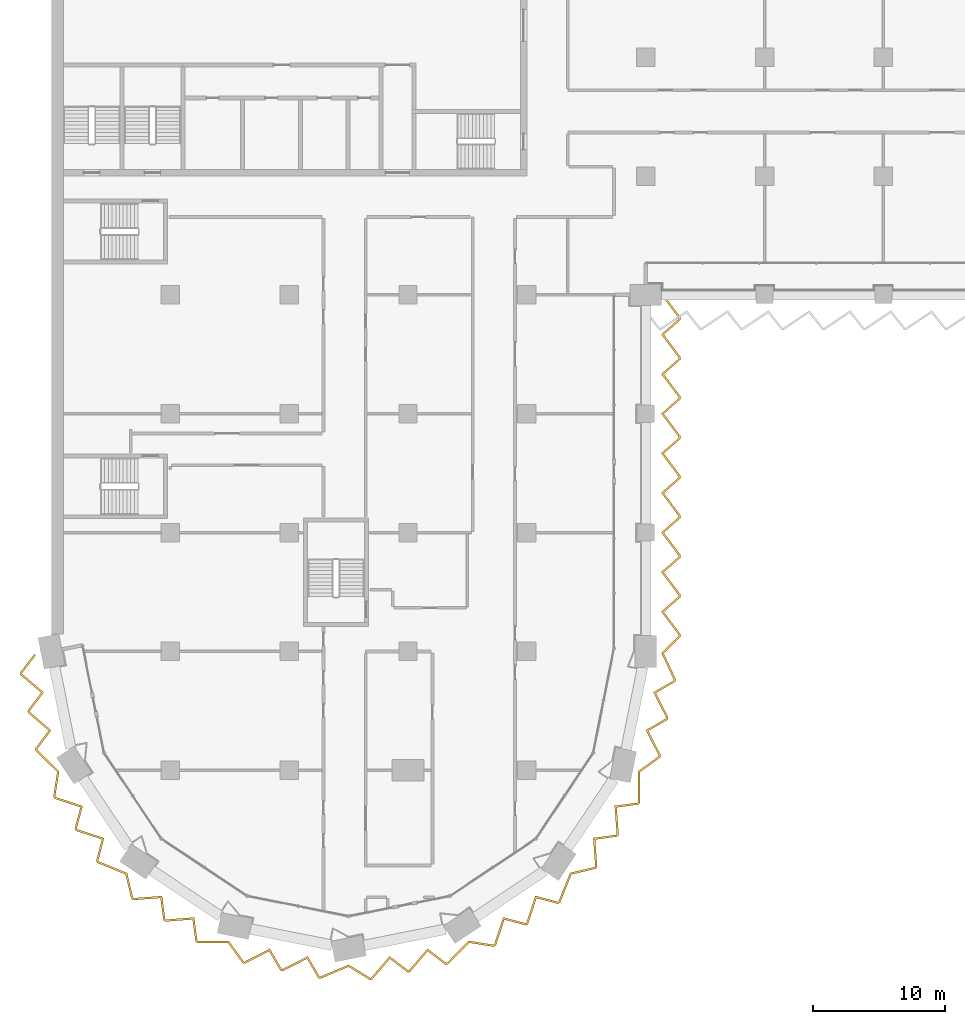
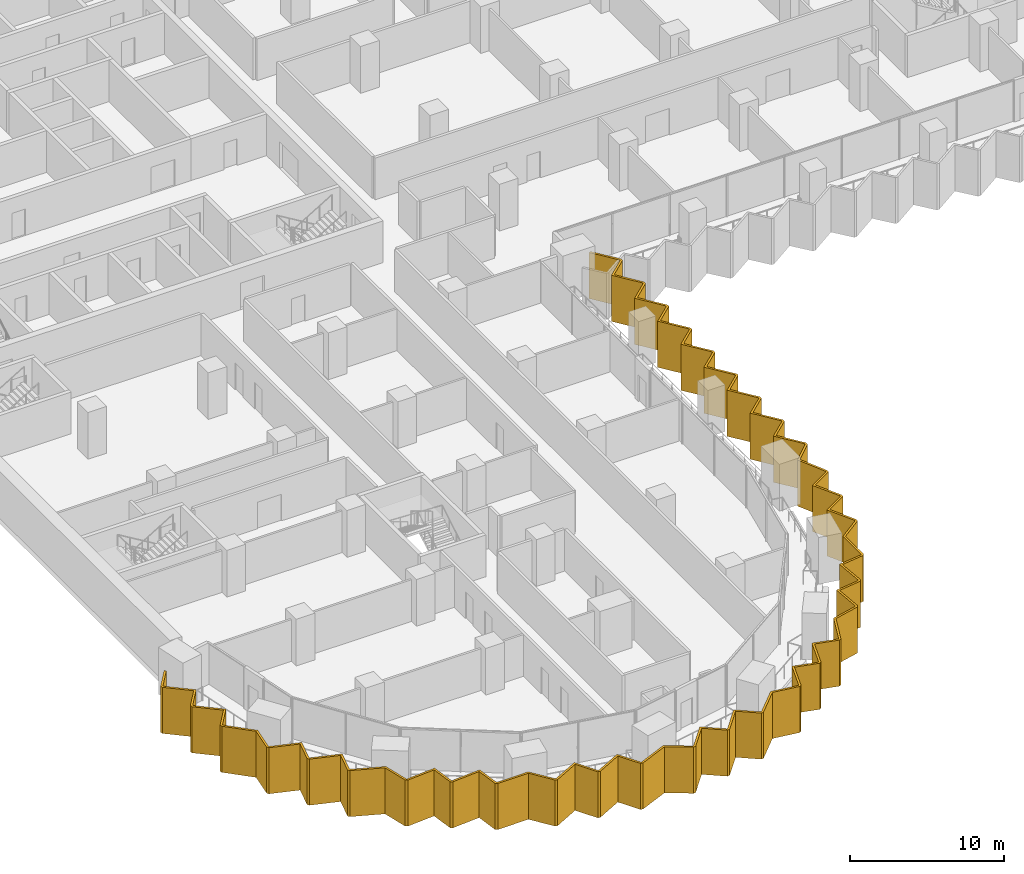
# One storey, part 23 of 28: 1 shading device.
"""IFC4 building model written with IfcOpenShell, lengths in metres."""

from ifc_helpers import new_model, si_unit, direction, frame, origin, place, context, subcontext, project, spatial, polyline, outline, extrude, material, layer, layer_set, type_object, element, save


model = new_model("IFC4")

# Units and contexts
model_context = context("Model", 3, precision=1e-05, world=origin(), true_north=direction((0.0, 1.0)))
body_context = subcontext(model_context, "Body", "Model", "MODEL_VIEW")
ifc_project = project(units=[si_unit("LENGTHUNIT", "METRE"), si_unit("AREAUNIT", "SQUARE_METRE"), si_unit("VOLUMEUNIT", "CUBIC_METRE"), si_unit("PLANEANGLEUNIT", "RADIAN"), si_unit("MASSUNIT", "GRAM", prefix="KILO")], contexts=[model_context])

# Site, building, storey
site_placement = place(None, origin())
site = spatial("IfcSite", under=ifc_project, at=site_placement, CompositionType="ELEMENT")
building_placement = place(site_placement, origin())
building = spatial("IfcBuilding", under=site, at=building_placement, Name="Hunhe Ridgeline Campus", CompositionType="ELEMENT")
storey_placement = place(building_placement, frame((0.0, 0.0, 61.699951171875)))
storey = spatial("IfcBuildingStorey", under=building, at=storey_placement, Name="L14", CompositionType="ELEMENT", Elevation=61.699951171875)

# Shading device
ifc_material = material(Name="Concrete C50", Category="concrete")
ifc_layer = layer(ifc_material, 0.14990234375)
ifc_layer_set = layer_set([ifc_layer], Name="Sawtooth concrete fin 150 Concrete C50")
shading_device_type = type_object("IfcShadingDeviceType", Name="Sawtooth concrete fin 150 Concrete C50", PredefinedType="USERDEFINED", material=ifc_layer_set)
shading_device_placement = place(storey_placement, frame((0.0, 0.0, -0.949951171875)))
element("IfcShadingDevice", 1, at=shading_device_placement, inside=storey, type_object=shading_device_type, Name="Concrete fin screen 1", ObjectType="FIN", PredefinedType="USERDEFINED", context=body_context, shape_type="SweptSolid", body=[
    extrude(outline(polyline([(-1.19091796875, 26.705810546875), (-1.31005859375, 26.796630859375), (-2.3818359375, 25.39111328125), (-2.346923828125, 25.21484375), (-0.7822265625, 23.870361328125), (-1.81103515625, 22.52099609375), (-1.77587890625, 22.3447265625), (-0.211181640625, 21.000244140625), (-1.239990234375, 19.65087890625), (-1.20556640625, 19.477294921875), (0.431396484375, 17.86572265625), (0.13037109375, 15.988037109375), (0.227783203125, 15.84228515625), (2.187744140625, 15.198974609375), (1.753662109375, 13.55859375), (1.853515625, 13.4091796875), (3.8134765625, 12.765625), (3.37939453125, 11.125244140625), (3.477783203125, 10.978271484375), (5.60693359375, 10.115966796875), (6.047119140625, 8.265869140625), (6.19287109375, 8.16845703125), (8.25, 8.323974609375), (8.4765625, 6.642333984375), (8.6259765625, 6.54248046875), (10.68310546875, 6.6982421875), (10.909912109375, 5.0166015625), (11.056884765625, 4.918212890625), (13.35400390625, 4.936279296875), (14.46875, 3.3955078125), (14.640869140625, 3.361328125), (16.481689453125, 4.29248046875), (17.334716796875, 2.825439453125), (17.510986328125, 2.79052734375), (19.351806640625, 3.721435546875), (20.204833984375, 2.254638671875), (20.378173828125, 2.22021484375), (22.49365234375, 3.115966796875), (24.11328125, 2.118896484375), (24.28515625, 2.153076171875), (25.629638671875, 3.7177734375), (26.97900390625, 2.68896484375), (27.1552734375, 2.72412109375), (28.499755859375, 4.288818359375), (29.84912109375, 3.260009765625), (30.022705078125, 3.29443359375), (31.63427734375, 4.931396484375), (33.511962890625, 4.63037109375), (33.65771484375, 4.727783203125), (34.301025390625, 6.687744140625), (35.94140625, 6.253662109375), (36.0908203125, 6.353515625), (36.734375, 8.3134765625), (38.374755859375, 7.87939453125), (38.521728515625, 7.977783203125), (39.384033203125, 10.10693359375), (41.234130859375, 10.547119140625), (41.33154296875, 10.69287109375), (41.176025390625, 12.75), (42.857666015625, 12.9765625), (42.95751953125, 13.1259765625), (42.8017578125, 15.18310546875), (44.4833984375, 15.409912109375), (44.581787109375, 15.556884765625), (44.563720703125, 17.85400390625), (46.1044921875, 18.96875), (46.138671875, 19.140869140625), (45.20751953125, 20.981689453125), (46.674560546875, 21.834716796875), (46.70947265625, 22.010986328125), (45.778564453125, 23.851806640625), (47.245361328125, 24.704833984375), (47.280029296875, 24.879638671875), (46.365234375, 26.85791015625), (47.64990234375, 28.115478515625), (47.64990234375, 28.292236328125), (46.37646484375, 29.989501953125), (47.64990234375, 31.11328125), (47.64990234375, 31.292236328125), (46.37646484375, 32.989501953125), (47.64990234375, 34.11328125), (47.64990234375, 34.292236328125), (46.37646484375, 35.989501953125), (47.64990234375, 37.11328125), (47.64990234375, 37.292236328125), (46.37646484375, 38.989501953125), (47.64990234375, 40.11328125), (47.64990234375, 40.292236328125), (46.37646484375, 41.989501953125), (47.64990234375, 43.11328125), (47.64990234375, 43.292236328125), (46.37646484375, 44.989501953125), (47.64990234375, 46.11328125), (47.64990234375, 46.292236328125), (46.37646484375, 47.989501953125), (47.64990234375, 49.11328125), (47.64990234375, 49.292236328125), (46.37646484375, 50.989501953125), (47.64990234375, 52.11328125), (47.64990234375, 52.292236328125), (46.3349609375, 54.044921875), (46.215087890625, 53.955078125), (47.5, 52.2421875), (47.5, 52.180908203125), (46.17333984375, 51.010498046875), (47.5, 49.2421875), (47.5, 49.180908203125), (46.17333984375, 48.010498046875), (47.5, 46.2421875), (47.5, 46.180908203125), (46.17333984375, 45.010498046875), (47.5, 43.2421875), (47.5, 43.180908203125), (46.17333984375, 42.010498046875), (47.5, 40.2421875), (47.5, 40.180908203125), (46.17333984375, 39.010498046875), (47.5, 37.2421875), (47.5, 37.180908203125), (46.17333984375, 36.010498046875), (47.5, 34.2421875), (47.5, 34.180908203125), (46.17333984375, 33.010498046875), (47.5, 31.2421875), (47.5, 31.180908203125), (46.17333984375, 30.010498046875), (47.5, 28.2421875), (47.5, 28.1787109375), (46.184814453125, 26.890869140625), (47.12353515625, 24.861083984375), (47.111572265625, 24.80029296875), (45.580810546875, 23.910400390625), (46.55224609375, 21.989501953125), (46.54052734375, 21.93017578125), (45.009765625, 21.040283203125), (45.9814453125, 19.119384765625), (45.96875, 19.055908203125), (44.4130859375, 17.93017578125), (44.431396484375, 15.601806640625), (44.396240234375, 15.549560546875), (42.6416015625, 15.31298828125), (42.803955078125, 13.16650390625), (42.7705078125, 13.1162109375), (41.015625, 12.8798828125), (41.17822265625, 10.733154296875), (41.142333984375, 10.679443359375), (39.274169921875, 10.23486328125), (38.400146484375, 8.07666015625), (38.34765625, 8.041748046875), (36.635986328125, 8.494873046875), (35.964599609375, 6.449462890625), (35.914306640625, 6.416015625), (34.20263671875, 6.868896484375), (33.53125, 4.82373046875), (33.4775390625, 4.78759765625), (31.58154296875, 5.091796875), (29.947998046875, 3.4326171875), (29.88623046875, 3.420166015625), (28.478271484375, 4.493896484375), (27.0751953125, 2.861083984375), (27.01611328125, 2.849365234375), (25.608154296875, 3.9228515625), (24.205078125, 2.290283203125), (24.1416015625, 2.277587890625), (22.50634765625, 3.2841796875), (20.3623046875, 2.376220703125), (20.30029296875, 2.388427734375), (19.410400390625, 3.919189453125), (17.489501953125, 2.94775390625), (17.43017578125, 2.95947265625), (16.540283203125, 4.490234375), (14.619384765625, 3.5185546875), (14.555908203125, 3.53125), (13.43017578125, 5.0869140625), (11.101806640625, 5.068603515625), (11.049560546875, 5.103759765625), (10.81298828125, 6.8583984375), (8.66650390625, 6.696044921875), (8.6162109375, 6.7294921875), (8.3798828125, 8.484375), (6.233154296875, 8.32177734375), (6.179443359375, 8.357666015625), (5.73486328125, 10.225830078125), (3.57666015625, 11.099853515625), (3.541748046875, 11.15234375), (3.994873046875, 12.864013671875), (1.949462890625, 13.535400390625), (1.916015625, 13.585693359375), (2.368896484375, 15.29736328125), (0.32373046875, 15.96875), (0.28759765625, 16.0224609375), (0.591796875, 17.91845703125), (-1.0673828125, 19.552001953125), (-1.079833984375, 19.61376953125), (-0.006103515625, 21.021728515625), (-1.638916015625, 22.4248046875), (-1.650634765625, 22.48388671875), (-0.5771484375, 23.891845703125), (-2.209716796875, 25.294921875), (-2.2216796875, 25.35400390625), (-1.19091796875, 26.705810546875)])), origin(), (0.0, 0.0, 1.0), 3.64990234375),
])

save(model, "model.ifc")
